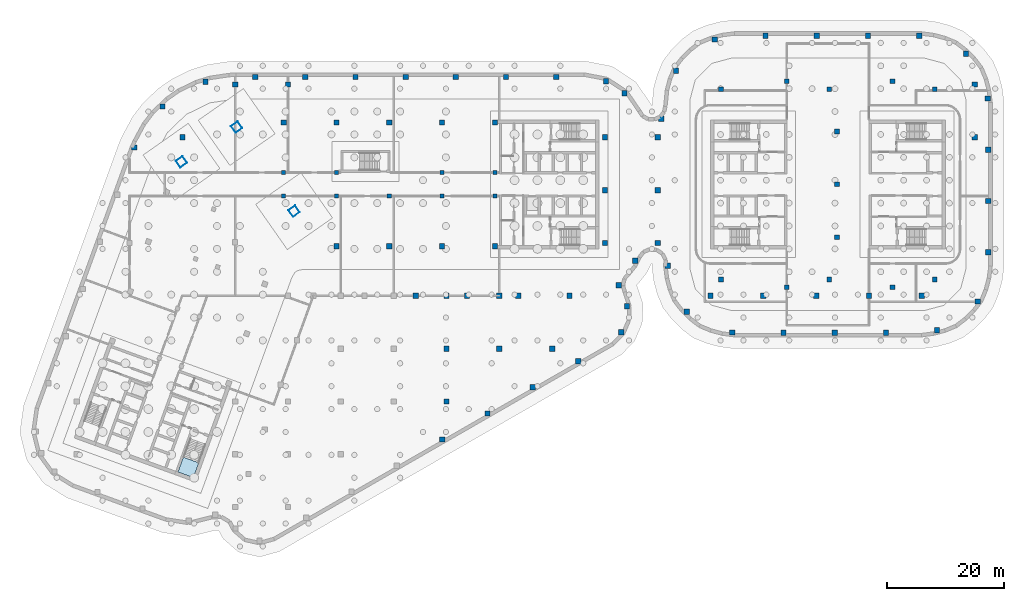
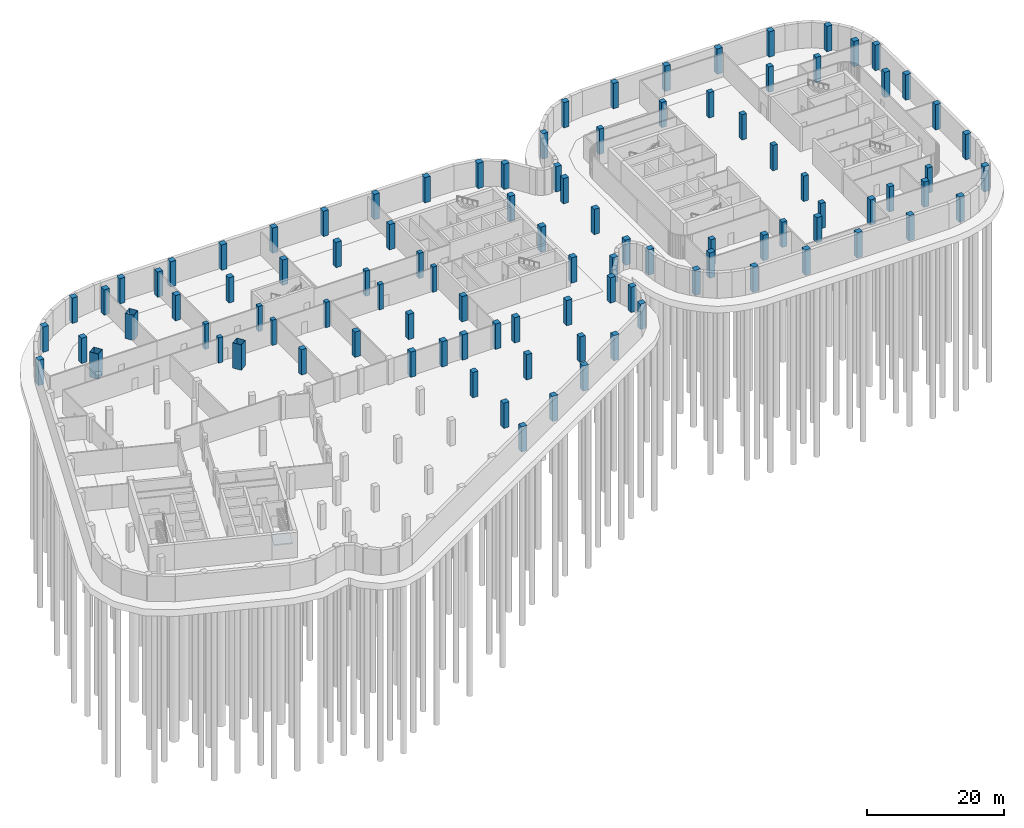
# One storey, part 3 of 18: 100 columns, 1 slab, 1 element without a shape of its own.
"""IFC4 building model written with IfcOpenShell, lengths in metres."""

from ifc_helpers import new_model, si_unit, direction, frame, origin, origin_2d, place, context, subcontext, project, spatial, polyline, rectangle, hollow_rectangle, outline, extrude, material, layer, layer_set, material_profile, profile_set, type_object, element, aggregate, save


model = new_model("IFC4")

# Units and contexts
model_context = context("Model", 3, precision=1e-05, world=origin(), true_north=direction((0.0, 1.0)))
body_context = subcontext(model_context, "Body", "Model", "MODEL_VIEW")
ifc_project = project(units=[si_unit("LENGTHUNIT", "METRE"), si_unit("AREAUNIT", "SQUARE_METRE"), si_unit("VOLUMEUNIT", "CUBIC_METRE"), si_unit("PLANEANGLEUNIT", "RADIAN"), si_unit("MASSUNIT", "GRAM", prefix="KILO")], contexts=[model_context])

# Site, building, storey
site_placement = place(None, origin())
site = spatial("IfcSite", under=ifc_project, at=site_placement, CompositionType="ELEMENT")
building_placement = place(site_placement, origin())
building = spatial("IfcBuilding", under=site, at=building_placement, Name="Skarvind Civic Tower", CompositionType="ELEMENT")
storey_placement = place(building_placement, frame((0.0, 0.0, -9.0)))
storey = spatial("IfcBuildingStorey", under=building, at=storey_placement, Name="B2", CompositionType="ELEMENT", Elevation=-9.0)

# Columns
ifc_material_1 = material(Name="Concrete C60", Category="concrete")
ifc_material_profile_1 = material_profile(ifc_material_1, rectangle(XDim=0.699951171875, YDim=0.699951171875, at=origin_2d()), Name="RC-700x700")
ifc_profile_set_1 = profile_set([ifc_material_profile_1], Name="Concrete C60")
column_type_1 = type_object("IfcColumnType", Name="Column RC-700x700 C60", PredefinedType="COLUMN", material=ifc_profile_set_1)
for number, where, z_axis, x_axis, name in (
    (1, (54.25, 130.0, 0.0), (0.0, 0.0, 1.0), (1.0, 0.0, 0.0), "Column wing 1 north inner 02 B2"),
    (2, (63.25, 130.0, 0.0), (0.0, 0.0, 1.0), (1.0, 0.0, 0.0), "Column wing 1 north inner 03 B2"),
    (3, (81.25, 130.0, 0.0), (0.0, 0.0, 1.0), (1.0, 0.0, 0.0), "Column wing 1 north inner 05 B2"),
    (4, (90.25, 130.0, 0.0), (0.0, 0.0, 1.0), (1.0, 0.0, 0.0), "Column wing 1 north inner 06 B2"),
    (5, (54.25, 126.0, 0.0), (0.0, 0.0, 1.0), (1.0, 0.0, 0.0), "Column wing 1 south inner 02 B2"),
    (6, (63.25, 126.0, 0.0), (0.0, 0.0, 1.0), (1.0, 0.0, 0.0), "Column wing 1 south inner 03 B2"),
    (7, (72.25, 126.0, 0.0), (0.0, 0.0, 1.0), (1.0, 0.0, 0.0), "Column wing 1 south inner 04 B2"),
    (8, (81.25, 126.0, 0.0), (0.0, 0.0, 1.0), (1.0, 0.0, 0.0), "Column wing 1 south inner 05 B2"),
    (9, (90.25, 126.0, 0.0), (0.0, 0.0, 1.0), (1.0, 0.0, 0.0), "Column wing 1 south inner 06 B2"),
):
    element("IfcColumn", number, at=place(storey_placement, frame(where, z_axis=z_axis, x_axis=x_axis)), inside=storey, type_object=column_type_1, Name=name, PredefinedType="COLUMN", context=body_context, shape_type="SweptSolid", body=[
        extrude(rectangle(XDim=0.699951171875, YDim=0.699951171875, at=origin_2d()), origin(), (0.0, 0.0, 1.0), 4.5),
    ])
ifc_material_profile_2 = material_profile(ifc_material_1, rectangle(XDim=0.800048828125, YDim=0.800048828125, at=origin_2d()), Name="RC-800x800")
ifc_profile_set_2 = profile_set([ifc_material_profile_2], Name="Concrete C60")
column_type_2 = type_object("IfcColumnType", Name="Column RC-800x800 C60", PredefinedType="COLUMN", material=ifc_profile_set_2)
for number, where, z_axis, x_axis, name in (
    (10, (128.777099609375, 144.222900390625, 0.0), (0.0, 0.0, 1.0), (1.0, 0.0, 0.0), "Column second tower north-west corner B2"),
    (11, (128.777099609375, 111.777099609375, 0.0), (0.0, 0.0, 1.0), (1.0, 0.0, 0.0), "Column second tower south-west corner B2"),
    (12, (148.550048828125, 119.0, 0.0), (0.0, 0.0, 1.0), (1.0, 0.0, 0.0), "Column second tower middle line 01 B2"),
    (13, (148.550048828125, 128.0, 0.0), (0.0, 0.0, 1.0), (1.0, 0.0, 0.0), "Column second tower middle line 02 B2"),
    (14, (148.550048828125, 137.0, 0.0), (0.0, 0.0, 1.0), (1.0, 0.0, 0.0), "Column second tower middle line 03 B2"),
    (15, (140.0, 145.550048828125, 0.0), (0.0, 0.0, 1.0), (1.0, 0.0, 0.0), "Column second tower north perimeter 02 B2"),
    (16, (147.222900390625, 144.222900390625, 0.0), (0.0, 0.0, 1.0), (1.0, 0.0, 0.0), "Column second tower north perimeter 03 B2"),
    (17, (140.0, 110.449951171875, 0.0), (0.0, 0.0, 1.0), (1.0, 0.0, 0.0), "Column second tower south perimeter 02 B2"),
    (18, (147.222900390625, 111.777099609375, 0.0), (0.0, 0.0, 1.0), (1.0, 0.0, 0.0), "Column second tower south perimeter 03 B2"),
    (19, (165.222900390625, 144.222900390625, 0.0), (0.0, 0.0, 1.0), (1.0, 0.0, 0.0), "Column second tower north-east corner B2"),
    (20, (165.222900390625, 111.777099609375, 0.0), (0.0, 0.0, 1.0), (1.0, 0.0, 0.0), "Column second tower south-east corner B2"),
    (21, (158.0, 145.550048828125, 0.0), (0.0, 0.0, 1.0), (1.0, 0.0, 0.0), "Column second tower north perimeter 04 B2"),
    (22, (158.0, 110.449951171875, 0.0), (0.0, 0.0, 1.0), (1.0, 0.0, 0.0), "Column second tower south perimeter 04 B2"),
):
    element("IfcColumn", number, at=place(storey_placement, frame(where, z_axis=z_axis, x_axis=x_axis)), inside=storey, type_object=column_type_2, Name=name, PredefinedType="COLUMN", context=body_context, shape_type="SweptSolid", body=[
        extrude(rectangle(XDim=0.800048828125, YDim=0.800048828125, at=origin_2d()), origin(), (0.0, 0.0, 1.0), 4.5),
    ])
ifc_material_profile_3 = material_profile(ifc_material_1, rectangle(XDim=0.89990234375, YDim=0.89990234375, at=origin_2d()), Name="RC-900x900")
ifc_profile_set_3 = profile_set([ifc_material_profile_3], Name="Concrete C60")
column_type_3 = type_object("IfcColumnType", Name="Column RC-900x900 C60", PredefinedType="COLUMN", material=ifc_profile_set_3)
for number, where, z_axis, x_axis, name in (
    (23, (127.0, 109.0, 0.0), (0.0, 0.0, 1.0), (1.0, 0.0, 0.0), "Column podium grid 100 B2"),
    (24, (136.0, 109.0, 0.0), (0.0, 0.0, 1.0), (1.0, 0.0, 0.0), "Column podium grid 101 B2"),
    (25, (145.0, 109.0, 0.0), (0.0, 0.0, 1.0), (1.0, 0.0, 0.0), "Column podium grid 102 B2"),
    (26, (154.0, 109.0, 0.0), (0.0, 0.0, 1.0), (1.0, 0.0, 0.0), "Column podium grid 103 B2"),
    (27, (163.0, 109.0, 0.0), (0.0, 0.0, 1.0), (1.0, 0.0, 0.0), "Column podium grid 104 B2"),
    (28, (172.0, 136.0, 0.0), (0.0, 0.0, 1.0), (1.0, 0.0, 0.0), "Column podium grid 105 B2"),
    (29, (172.0, 145.0, 0.0), (0.0, 0.0, 1.0), (1.0, 0.0, 0.0), "Column podium grid 106 B2"),
    (30, (37.0, 136.0, 0.0), (0.0, 0.0, 1.0), (1.0, 0.0, 0.0), "Column podium grid 71 B2"),
    (31, (46.0, 145.0, 0.0), (0.0, 0.0, 1.0), (1.0, 0.0, 0.0), "Column podium grid 75 B2"),
    (32, (55.0, 145.0, 0.0), (0.0, 0.0, 1.0), (1.0, 0.0, 0.0), "Column podium grid 80 B2"),
    (33, (82.0, 91.0, 0.0), (0.0, 0.0, 1.0), (1.0, 0.0, 0.0), "Column podium grid 88 B2"),
    (34, (82.0, 100.0, 0.0), (0.0, 0.0, 1.0), (1.0, 0.0, 0.0), "Column podium grid 89 B2"),
    (35, (82.0, 109.0, 0.0), (0.0, 0.0, 1.0), (1.0, 0.0, 0.0), "Column podium grid 90 B2"),
    (36, (91.0, 100.0, 0.0), (0.0, 0.0, 1.0), (1.0, 0.0, 0.0), "Column podium grid 91 B2"),
    (37, (91.0, 109.0, 0.0), (0.0, 0.0, 1.0), (1.0, 0.0, 0.0), "Column podium grid 92 B2"),
    (38, (100.0, 100.0, 0.0), (0.0, 0.0, 1.0), (1.0, 0.0, 0.0), "Column podium grid 93 B2"),
    (39, (109.0, 118.0, 0.0), (0.0, 0.0, 1.0), (1.0, 0.0, 0.0), "Column podium grid 94 B2"),
    (40, (109.0, 127.0, 0.0), (0.0, 0.0, 1.0), (1.0, 0.0, 0.0), "Column podium grid 95 B2"),
    (41, (109.0, 136.0, 0.0), (0.0, 0.0, 1.0), (1.0, 0.0, 0.0), "Column podium grid 96 B2"),
    (42, (118.0, 118.0, 0.0), (0.0, 0.0, 1.0), (1.0, 0.0, 0.0), "Column podium grid 97 B2"),
    (43, (118.0, 127.0, 0.0), (0.0, 0.0, 1.0), (1.0, 0.0, 0.0), "Column podium grid 98 B2"),
    (44, (118.0, 136.0, 0.0), (0.0, 0.0, 1.0), (1.0, 0.0, 0.0), "Column podium grid 99 B2"),
    (45, (28.818603515625, 134.266845703125, 0.0), (0.0, 0.0, 1.0), (1.0, 0.0, 0.0), "Column podium edge 15 B2"),
    (46, (33.59375, 141.267822265625, 0.0), (0.0, 0.0, 1.0), (1.0, 0.0, 0.0), "Column podium edge 16 B2"),
    (47, (40.927001953125, 145.478515625, 0.0), (0.0, 0.0, 1.0), (1.0, 0.0, 0.0), "Column podium edge 17 B2"),
    (48, (49.399658203125, 146.300048828125, 0.0), (0.0, 0.0, 1.0), (1.0, 0.0, 0.0), "Column podium edge 18 B2"),
    (49, (57.949951171875, 146.300048828125, 0.0), (0.0, 0.0, 1.0), (1.0, 0.0, 0.0), "Column podium edge 19 B2"),
    (50, (66.5, 146.300048828125, 0.0), (0.0, 0.0, 1.0), (1.0, 0.0, 0.0), "Column podium edge 20 B2"),
    (51, (75.050048828125, 146.300048828125, 0.0), (0.0, 0.0, 1.0), (1.0, 0.0, 0.0), "Column podium edge 21 B2"),
    (52, (83.600341796875, 146.300048828125, 0.0), (0.0, 0.0, 1.0), (1.0, 0.0, 0.0), "Column podium edge 22 B2"),
    (53, (92.150390625, 146.300048828125, 0.0), (0.0, 0.0, 1.0), (1.0, 0.0, 0.0), "Column podium edge 23 B2"),
    (54, (100.700439453125, 146.300048828125, 0.0), (0.0, 0.0, 1.0), (1.0, 0.0, 0.0), "Column podium edge 24 B2"),
    (55, (109.179931640625, 145.566650390625, 0.0), (0.0, 0.0, 1.0), (1.0, 0.0, 0.0), "Column podium edge 25 B2"),
    (56, (112.329345703125, 143.49560546875, 0.0), (0.0, 0.0, 1.0), (1.0, 0.0, 0.0), "Column podium edge 26 B2"),
    (57, (118.597900390625, 139.153076171875, 0.0), (0.0, 0.0, 1.0), (1.0, 0.0, 0.0), "Column podium edge 27 B2"),
    (58, (121.09521484375, 147.3408203125, 0.0), (0.0, 0.0, 1.0), (1.0, 0.0, 0.0), "Column podium edge 28 B2"),
    (59, (127.706787109375, 152.675048828125, 0.0), (0.0, 0.0, 1.0), (1.0, 0.0, 0.0), "Column podium edge 29 B2"),
    (60, (136.371826171875, 153.300048828125, 0.0), (0.0, 0.0, 1.0), (1.0, 0.0, 0.0), "Column podium edge 30 B2"),
    (61, (145.1015625, 153.300048828125, 0.0), (0.0, 0.0, 1.0), (1.0, 0.0, 0.0), "Column podium edge 31 B2"),
    (62, (153.8310546875, 153.300048828125, 0.0), (0.0, 0.0, 1.0), (1.0, 0.0, 0.0), "Column podium edge 32 B2"),
    (63, (162.560791015625, 153.300048828125, 0.0), (0.0, 0.0, 1.0), (1.0, 0.0, 0.0), "Column podium edge 33 B2"),
    (64, (170.520751953125, 150.26708984375, 0.0), (0.0, 0.0, 1.0), (1.0, 0.0, 0.0), "Column podium edge 34 B2"),
    (65, (174.210693359375, 142.610595703125, 0.0), (0.0, 0.0, 1.0), (1.0, 0.0, 0.0), "Column podium edge 35 B2"),
    (66, (174.300048828125, 133.88671875, 0.0), (0.0, 0.0, 1.0), (1.0, 0.0, 0.0), "Column podium edge 36 B2"),
    (67, (174.300048828125, 125.1572265625, 0.0), (0.0, 0.0, 1.0), (1.0, 0.0, 0.0), "Column podium edge 37 B2"),
    (68, (174.300048828125, 116.427490234375, 0.0), (0.0, 0.0, 1.0), (1.0, 0.0, 0.0), "Column podium edge 38 B2"),
    (69, (172.520751953125, 108.018798828125, 0.0), (0.0, 0.0, 1.0), (1.0, 0.0, 0.0), "Column podium edge 39 B2"),
    (70, (165.565673828125, 103.1298828125, 0.0), (0.0, 0.0, 1.0), (1.0, 0.0, 0.0), "Column podium edge 40 B2"),
    (71, (156.875, 102.699951171875, 0.0), (0.0, 0.0, 1.0), (1.0, 0.0, 0.0), "Column podium edge 41 B2"),
    (72, (148.1455078125, 102.699951171875, 0.0), (0.0, 0.0, 1.0), (1.0, 0.0, 0.0), "Column podium edge 42 B2"),
    (73, (139.415771484375, 102.699951171875, 0.0), (0.0, 0.0, 1.0), (1.0, 0.0, 0.0), "Column podium edge 43 B2"),
    (74, (130.689453125, 102.749755859375, 0.0), (0.0, 0.0, 1.0), (1.0, 0.0, 0.0), "Column podium edge 44 B2"),
    (75, (122.94677734375, 106.265380859375, 0.0), (0.0, 0.0, 1.0), (1.0, 0.0, 0.0), "Column podium edge 45 B2"),
    (76, (119.70458984375, 114.13671875, 0.0), (0.0, 0.0, 1.0), (1.0, 0.0, 0.0), "Column podium edge 46 B2"),
    (77, (114.146240234375, 114.994384765625, 0.0), (0.0, 0.0, 1.0), (1.0, 0.0, 0.0), "Column podium edge 47 B2"),
    (78, (112.776611328125, 107.21484375, 0.0), (0.0, 0.0, 1.0), (1.0, 0.0, 0.0), "Column podium edge 48 B2"),
    (79, (111.77294921875, 102.8076171875, 0.0), (0.0, 0.0, 1.0), (1.0, 0.0, 0.0), "Column podium edge 49 B2"),
    (80, (104.4453125, 97.850830078125, 0.0), (0.0, 0.0, 1.0), (1.0, 0.0, 0.0), "Column podium edge 50 B2"),
    (81, (96.719970703125, 93.404541015625, 0.0), (0.0, 0.0, 1.0), (1.0, 0.0, 0.0), "Column podium edge 51 B2"),
    (82, (88.994384765625, 88.958251953125, 0.0), (0.0, 0.0, 1.0), (1.0, 0.0, 0.0), "Column podium edge 52 B2"),
    (83, (81.26904296875, 84.511962890625, 0.0), (0.0, 0.0, 1.0), (1.0, 0.0, 0.0), "Column podium edge 53 B2"),
    (84, (76.762451171875, 109.0, 0.0), (0.0, 0.0, 1.0), (1.0, 0.0, 0.0), "Column podium edge 63 B2"),
    (85, (85.491455078125, 109.0, 0.0), (0.0, 0.0, 1.0), (1.0, 0.0, 0.0), "Column podium edge 64 B2"),
    (86, (94.220703125, 109.0, 0.0), (0.0, 0.0, 1.0), (1.0, 0.0, 0.0), "Column podium edge 65 B2"),
    (87, (102.949951171875, 109.0, 0.0), (0.0, 0.0, 1.0), (1.0, 0.0, 0.0), "Column podium edge 66 B2"),
    (88, (111.3330078125, 110.789794921875, 0.0), (0.0, 0.0, 1.0), (1.0, 0.0, 0.0), "Column podium edge 67 B2"),
):
    element("IfcColumn", number, at=place(storey_placement, frame(where, z_axis=z_axis, x_axis=x_axis)), inside=storey, type_object=column_type_3, Name=name, PredefinedType="COLUMN", context=body_context, shape_type="SweptSolid", body=[
        extrude(rectangle(XDim=0.89990234375, YDim=0.89990234375, at=origin_2d()), origin(), (0.0, 0.0, 1.0), 4.5),
    ])
ifc_material_2 = material(Name="Concrete C80", Category="concrete")
ifc_material_profile_4 = material_profile(ifc_material_2, rectangle(XDim=0.89990234375, YDim=0.89990234375, at=origin_2d()), Name="RC-900x900")
ifc_profile_set_4 = profile_set([ifc_material_profile_4], Name="Concrete C80")
column_type_4 = type_object("IfcColumnType", Name="Column RC-900x900 C80", PredefinedType="COLUMN", material=ifc_profile_set_4)
for number, where, z_axis, x_axis, name in (
    (89, (54.25, 138.550048828125, 0.0), (0.0, 0.0, 1.0), (1.0, 0.0, 0.0), "Column wing 1 north perimeter 02 B2"),
    (90, (63.25, 138.550048828125, 0.0), (0.0, 0.0, 1.0), (1.0, 0.0, 0.0), "Column wing 1 north perimeter 03 B2"),
    (91, (72.25, 138.550048828125, 0.0), (0.0, 0.0, 1.0), (1.0, 0.0, 0.0), "Column wing 1 north perimeter 04 B2"),
    (92, (81.25, 138.550048828125, 0.0), (0.0, 0.0, 1.0), (1.0, 0.0, 0.0), "Column wing 1 north perimeter 05 B2"),
    (93, (90.25, 138.550048828125, 0.0), (0.0, 0.0, 1.0), (1.0, 0.0, 0.0), "Column wing 1 north perimeter 06 B2"),
    (94, (63.25, 117.449951171875, 0.0), (0.0, 0.0, 1.0), (1.0, 0.0, 0.0), "Column wing 1 south perimeter 03 B2"),
    (95, (72.25, 117.449951171875, 0.0), (0.0, 0.0, 1.0), (1.0, 0.0, 0.0), "Column wing 1 south perimeter 04 B2"),
    (96, (81.25, 117.449951171875, 0.0), (0.0, 0.0, 1.0), (1.0, 0.0, 0.0), "Column wing 1 south perimeter 05 B2"),
    (97, (90.25, 117.449951171875, 0.0), (0.0, 0.0, 1.0), (1.0, 0.0, 0.0), "Column wing 1 south perimeter 06 B2"),
):
    element("IfcColumn", number, at=place(storey_placement, frame(where, z_axis=z_axis, x_axis=x_axis)), inside=storey, type_object=column_type_4, Name=name, PredefinedType="COLUMN", context=body_context, shape_type="SweptSolid", body=[
        extrude(rectangle(XDim=0.89990234375, YDim=0.89990234375, at=origin_2d()), origin(), (0.0, 0.0, 1.0), 4.5),
    ])
ifc_material_3 = material(Name="Composite concrete-filled steel tube, Steel SM355 with Concrete C80", Category="concrete")
ifc_material_profile_5 = material_profile(ifc_material_3, hollow_rectangle(XDim=1.39990234375, YDim=1.39990234375, WallThickness=0.0400390625, at=origin_2d()), Name="BOX-1400x1400x40")
ifc_profile_set_5 = profile_set([ifc_material_profile_5], Name="Composite concrete-filled steel tube, Steel SM355 with Concrete C80")
column_type_5 = type_object("IfcColumnType", Name="Mega column BOX-1400x1400x40 filled C80", PredefinedType="COLUMN", material=ifc_profile_set_5)
for number, where, z_axis, x_axis, name in (
    (98, (36.845947265625, 131.837646484375, 0.0), (0.0, 0.0, 1.0), (0.573576436351, -0.819152044289, 0.0), "Mega column 1 B2"),
    (99, (46.2470703125, 137.762451171875, 0.0), (0.0, 0.0, 1.0), (0.573576436351, -0.819152044289, 0.0), "Mega column 2 B2"),
    (100, (56.0361328125, 123.43017578125, 0.0), (0.0, 0.0, 1.0), (0.573576436351, -0.819152044289, 0.0), "Mega column 4 B2"),
):
    element("IfcColumn", number, at=place(storey_placement, frame(where, z_axis=z_axis, x_axis=x_axis)), inside=storey, type_object=column_type_5, Name=name, PredefinedType="COLUMN", context=body_context, shape_type="SweptSolid", body=[
        extrude(hollow_rectangle(XDim=1.39990234375, YDim=1.39990234375, WallThickness=0.0400390625, at=origin_2d()), origin(), (0.0, 0.0, 1.0), 4.5),
    ])

# Stair, slab
ifc_material_4 = material(Name="Concrete C40/50", Category="concrete")
stair_type = type_object("IfcStairType", Name="Exit stair, half-turn, concrete", PredefinedType="HALF_TURN_STAIR", material=ifc_material_4)
stair_placement = place(storey_placement, origin())
stair = element("IfcStair", 101, at=stair_placement, inside=storey, type_object=stair_type, Name="Exit stair C2S", PredefinedType="HALF_TURN_STAIR")
ifc_layer = layer(ifc_material_4, 0.199951171875)
ifc_layer_set = layer_set([ifc_layer], Name="Stair half landing slab")
slab_type = type_object("IfcSlabType", Name="Stair half landing slab", PredefinedType="LANDING", material=ifc_layer_set)
slab_placement = place(storey_placement, frame((0.0, 0.0, 2.050048828125)))
slab = element("IfcSlab", 102, at=slab_placement, type_object=slab_type, Name="ST-C2S landing 1", PredefinedType="LANDING", context=body_context, shape_type="SweptSolid", body=[
    extrude(outline(polyline([(37.16552734375, 81.50830078125), (39.7978515625, 80.55029296875), (38.87744140625, 78.021484375), (36.2451171875, 78.9794921875), (37.16552734375, 81.50830078125)])), origin(), (0.0, 0.0, 1.0), 0.199951171875),
])
aggregate(stair, [slab])

save(model, "model.ifc")
